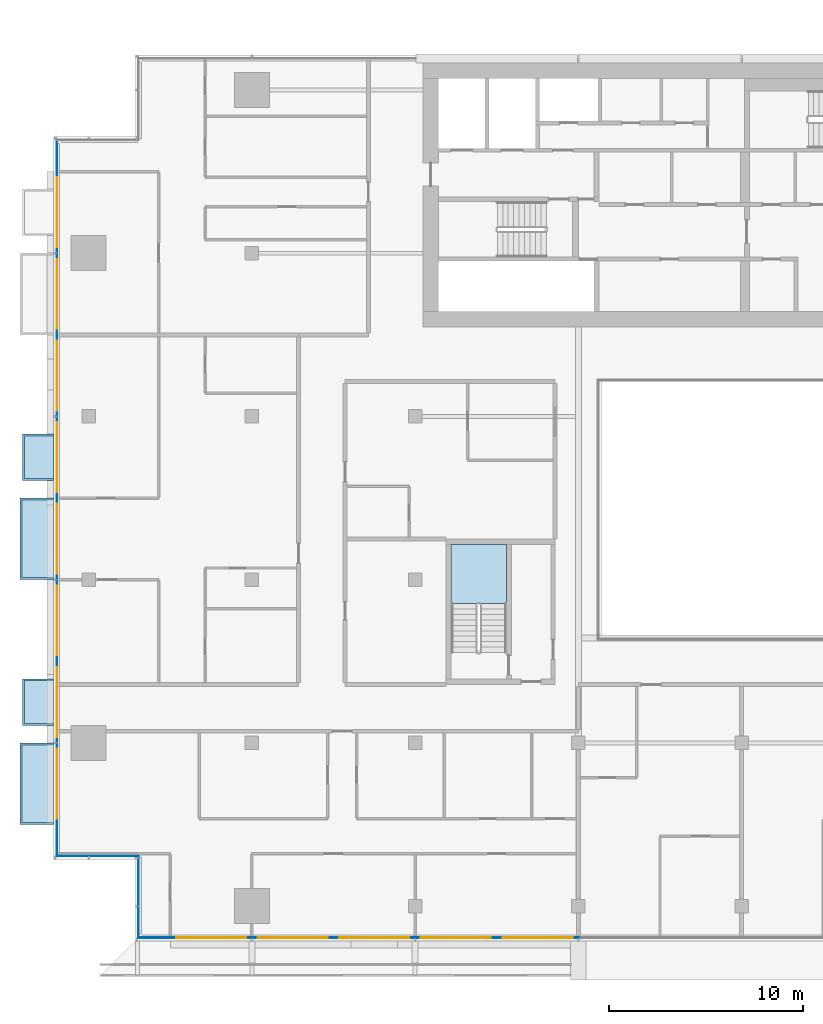
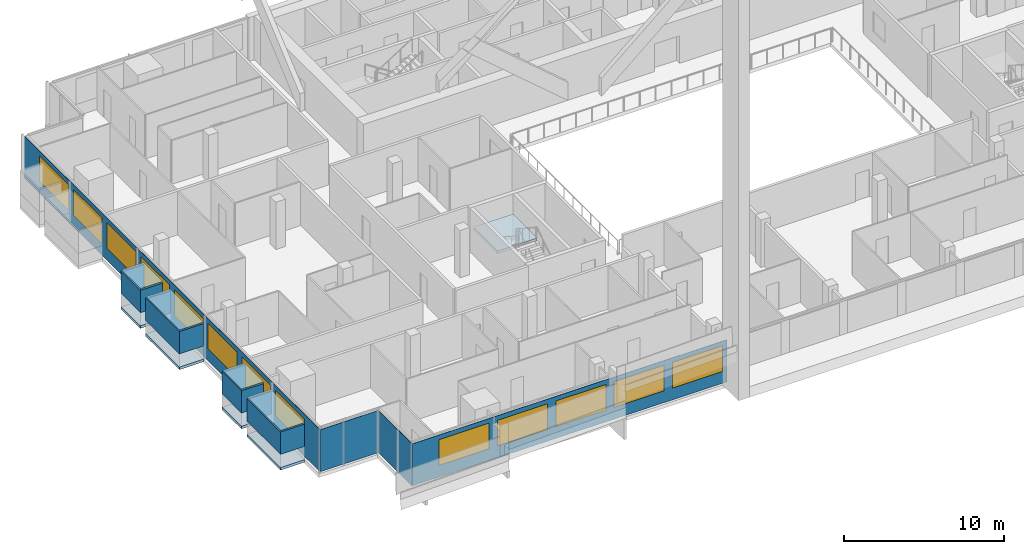
# One storey, part 14 of 31: 13 windows, 12 plates, 5 slabs, 13 openings, 5 elements without a shape of their own.
"""IFC4 building model written with IfcOpenShell, lengths in metres."""

import ifcopenshell
import ifcopenshell.guid

model = None  # the IFC model being written
_history = None  # IfcOwnerHistory: only IFC2X3 demands one
_inside = {}  # id of a spatial element -> (the spatial element, [elements in it])
_under = {}  # id of a project, library or spatial element -> (it, [spatial elements below it])
_declared = {}  # id of a project -> (the project, [libraries it declares])
_typed = {}  # id of a type object -> (the type object, [elements of that type])
_made_of = {}  # id of a material, layer set ... -> (it, [elements and type objects made of it])


def new_model(schema):
    """Start an empty IFC model of exactly this schema.

    Asked for "IFC4X3", IfcOpenShell would pick the latest addendum, in which some entities
    have other attributes; the version numbers below select the first issue.
    IFC2X3 requires an IfcOwnerHistory on every rooted entity: one is made here for all.
    """
    global model, _history
    if schema == "IFC4X3":
        model = ifcopenshell.file(schema_version=(4, 3, 0, 0))
    else:
        model = ifcopenshell.file(schema=schema)
    _inside.clear()
    _under.clear()
    _declared.clear()
    _typed.clear()
    _made_of.clear()
    _history = None
    if model.schema == "IFC2X3":
        org = make("IfcOrganization", Name="unknown")
        user = make(
            "IfcPersonAndOrganization",
            ThePerson=make("IfcPerson", FamilyName="unknown"),
            TheOrganization=org,
        )
        app = make(
            "IfcApplication",
            ApplicationDeveloper=org,
            Version="unknown",
            ApplicationFullName="unknown",
            ApplicationIdentifier="unknown",
        )
        _history = make(
            "IfcOwnerHistory",
            OwningUser=user,
            OwningApplication=app,
            ChangeAction="ADDED",
            CreationDate=0,
        )
    return model


def make(cls, **values):
    """One entity of the class cls with the attributes given. An attribute that is None is left unset."""
    return model.create_entity(
        cls, **{name: value for name, value in values.items() if value is not None}
    )


def rooted(cls, **values):
    """An entity with a GlobalId (a new one), such as an element, a storey or a relation."""
    return make(cls, GlobalId=ifcopenshell.guid.new(), OwnerHistory=_history, **values)


def si_unit(unit_type, name, prefix=None):
    """IfcSIUnit, for example si_unit("LENGTHUNIT", "METRE", prefix="MILLI")."""
    return make("IfcSIUnit", UnitType=unit_type, Prefix=prefix, Name=name)


def assignment(units):
    """IfcUnitAssignment: the units of a project."""
    return None if units is None else make("IfcUnitAssignment", Units=units)


def point(xyz):
    """IfcCartesianPoint."""
    return None if xyz is None else make("IfcCartesianPoint", Coordinates=xyz)


def direction(xyz):
    """IfcDirection."""
    return None if xyz is None else make("IfcDirection", DirectionRatios=xyz)


def frame(location, z_axis=None, x_axis=None):
    """IfcAxis2Placement3D, a coordinate frame: its origin and axes. An axis left out is left unset."""
    return make(
        "IfcAxis2Placement3D",
        Location=point(location),
        Axis=direction(z_axis),
        RefDirection=direction(x_axis),
    )


def frame_2d(location, x_axis=None):
    """IfcAxis2Placement2D, a coordinate frame in the plane: its origin and x axis."""
    return make(
        "IfcAxis2Placement2D", Location=point(location), RefDirection=direction(x_axis)
    )


def origin():
    """The frame at (0, 0, 0) with its axes left unset."""
    return frame((0.0, 0.0, 0.0))


def place(relative_to, where):
    """IfcLocalPlacement: puts the frame where relative to a parent placement (None: the world)."""
    return make(
        "IfcLocalPlacement", PlacementRelTo=relative_to, RelativePlacement=where
    )


def context(
    kind, dimensions, precision=None, world=None, true_north=None, identifier=None
):
    """IfcGeometricRepresentationContext, for example the 3D "Model" context."""
    return make(
        "IfcGeometricRepresentationContext",
        ContextIdentifier=identifier,
        ContextType=kind,
        CoordinateSpaceDimension=dimensions,
        Precision=precision,
        WorldCoordinateSystem=world,
        TrueNorth=true_north,
    )


def subcontext(parent, identifier, kind, view, scale=None):
    """IfcGeometricRepresentationSubContext, for example "Body" below "Model"."""
    return make(
        "IfcGeometricRepresentationSubContext",
        ContextIdentifier=identifier,
        ContextType=kind,
        ParentContext=parent,
        TargetScale=scale,
        TargetView=view,
    )


def project(units=None, contexts=None):
    """IfcProject with its units and contexts."""
    return rooted(
        "IfcProject",
        Name="project",
        RepresentationContexts=contexts,
        UnitsInContext=assignment(units),
    )


def spatial(cls, under=None, at=None, **own):
    """A site, building, storey or space (cls), placed at a placement, below another one or the project."""
    s = rooted(cls, ObjectPlacement=at, **own)
    if under is not None:
        _under.setdefault(under.id(), (under, []))[1].append(s)
    return s


def polyline(points):
    """IfcPolyline through the points."""
    return make("IfcPolyline", Points=[point(p) for p in points])


def profile(cls, at=None, kind="AREA", **sizes):
    """A parametric profile (cls). Its sizes go by their IFC names, for example OverallWidth=200.0."""
    return make(cls, ProfileType=kind, Position=at, **sizes)


def rectangle(**sizes):
    """IfcRectangleProfileDef."""
    return profile("IfcRectangleProfileDef", **sizes)


def outline(outer, holes=None, kind="AREA"):
    """IfcArbitraryClosedProfileDef: a profile drawn as a closed curve; with holes, ...WithVoids."""
    if holes is None:
        return make("IfcArbitraryClosedProfileDef", ProfileType=kind, OuterCurve=outer)
    return make(
        "IfcArbitraryProfileDefWithVoids",
        ProfileType=kind,
        OuterCurve=outer,
        InnerCurves=holes,
    )


def extrude(swept, where, along, depth):
    """IfcExtrudedAreaSolid: the profile swept, set in the frame where, extruded along a direction by depth."""
    return make(
        "IfcExtrudedAreaSolid",
        SweptArea=swept,
        Position=where,
        ExtrudedDirection=direction(along),
        Depth=depth,
    )


def shape(context_of_items, identifier, shape_type, items):
    """IfcShapeRepresentation: the items that make up one representation, for example the "Body"."""
    return make(
        "IfcShapeRepresentation",
        ContextOfItems=context_of_items,
        RepresentationIdentifier=identifier,
        RepresentationType=shape_type,
        Items=items,
    )


def material(Name=None, Category=None):
    """IfcMaterial."""
    return make("IfcMaterial", Name=Name, Category=Category)


def layer(
    of_material, thickness, ventilated=None, Name=None, Category=None, Priority=None
):
    """IfcMaterialLayer: one layer of a wall or slab, of a material (None: an air gap)."""
    return make(
        "IfcMaterialLayer",
        Material=of_material,
        LayerThickness=thickness,
        IsVentilated=ventilated,
        Name=Name,
        Category=Category,
        Priority=Priority,
    )


def layer_set(layers, Name=None):
    """IfcMaterialLayerSet."""
    return make("IfcMaterialLayerSet", MaterialLayers=layers, LayerSetName=Name)


def made_of(thing, what):
    """Note that an element or type object is made of a material, layer set ...; save() writes the relation."""
    if what is not None:
        _made_of.setdefault(what.id(), (what, []))[1].append(thing)
    return thing


def type_object(cls, material=None, **own):
    """A type object (cls), such as IfcWallType, which elements share."""
    return made_of(rooted(cls, **own), material)


def element(
    cls,
    number,
    at=None,
    inside=None,
    cuts=None,
    type_object=None,
    material=None,
    context=None,
    identifier="Body",
    shape_type=None,
    held_by="IfcProductDefinitionShape",
    body=None,
    shapes=None,
    **own,
):
    """One element of the class cls, such as IfcWall. Its Tag is "e" and its number.

    at: its placement. inside: the storey or other place that contains it. cuts: it is an
    opening in that element (IfcRelVoidsElement). A single representation is given by context,
    identifier, shape_type and body (its items); several are given by shapes. held_by: the class
    of the entity that holds the representations. save() writes the other relations.
    """
    e = rooted(cls, Tag="e%d" % number, ObjectPlacement=at, **own)
    if body is not None:
        shapes = [shape(context, identifier, shape_type, body)]
    if shapes is not None:
        e.Representation = make(held_by, Representations=shapes)
    if inside is not None:
        _inside.setdefault(inside.id(), (inside, []))[1].append(e)
    if cuts is not None:
        rooted(
            "IfcRelVoidsElement", RelatingBuildingElement=cuts, RelatedOpeningElement=e
        )
    if type_object is not None:
        _typed.setdefault(type_object.id(), (type_object, []))[1].append(e)
    return made_of(e, material)


def fill(opening, filler):
    """IfcRelFillsElement: the door or window that sits in an opening."""
    return rooted(
        "IfcRelFillsElement",
        RelatingOpeningElement=opening,
        RelatedBuildingElement=filler,
    )


def aggregate(whole, parts):
    """IfcRelAggregates: a whole, such as a stair, and the parts it consists of."""
    return rooted("IfcRelAggregates", RelatingObject=whole, RelatedObjects=parts)


def save(model, path):
    """Write the relations noted so far, then the file.

    IfcRelAggregates (storeys below a building ...), IfcRelContainedInSpatialStructure (elements
    in a storey), IfcRelDefinesByType, IfcRelAssociatesMaterial and IfcRelDeclares: one each for
    every whole, place, type object, material and project.
    """
    for whole, parts in _under.values():
        aggregate(whole, parts)
    for where, things in _inside.values():
        rooted(
            "IfcRelContainedInSpatialStructure",
            RelatedElements=things,
            RelatingStructure=where,
        )
    for kind, things in _typed.values():
        rooted("IfcRelDefinesByType", RelatedObjects=things, RelatingType=kind)
    for what, things in _made_of.values():
        rooted("IfcRelAssociatesMaterial", RelatedObjects=things, RelatingMaterial=what)
    for by, libraries in _declared.values():
        rooted("IfcRelDeclares", RelatingContext=by, RelatedDefinitions=libraries)
    model.write(path)


model = new_model("IFC4")

# Units and contexts
model_context = context("Model", 3, precision=1e-05, world=origin(), true_north=direction((0.0, 1.0)))
body_context = subcontext(model_context, "Body", "Model", "MODEL_VIEW")
ifc_project = project(units=[si_unit("LENGTHUNIT", "METRE"), si_unit("AREAUNIT", "SQUARE_METRE"), si_unit("VOLUMEUNIT", "CUBIC_METRE"), si_unit("PLANEANGLEUNIT", "RADIAN"), si_unit("MASSUNIT", "GRAM", prefix="KILO")], contexts=[model_context])

# Site, building, storey
site_placement = place(None, origin())
site = spatial("IfcSite", under=ifc_project, at=site_placement, CompositionType="ELEMENT")
building_placement = place(site_placement, origin())
building = spatial("IfcBuilding", under=site, at=building_placement, Name="Saffron Gate Tower", CompositionType="ELEMENT")
storey_placement = place(building_placement, frame((0.0, 0.0, 147.449951171875)))
storey = spatial("IfcBuildingStorey", under=building, at=storey_placement, Name="L35", CompositionType="ELEMENT", Elevation=147.449951171875)

# Curtain wall, plate, openings, windows
ifc_material_1 = material(Name="Aluminium, bronze anodised", Category="aluminium")
curtain_wall_type_1 = type_object("IfcCurtainWallType", Name="CWS1 curtain wall front facade", PredefinedType="NOTDEFINED", material=ifc_material_1)
curtain_wall_1_placement = place(storey_placement, origin())
curtain_wall_1 = element("IfcCurtainWall", 1, at=curtain_wall_1_placement, inside=storey, type_object=curtain_wall_type_1, Name="CWS1 run 1", PredefinedType="NOTDEFINED")
ifc_material_2 = material(Name="Fritted bronze-tinted laminated glass", Category="glass")
ifc_layer_1 = layer(ifc_material_2, 0.028076171875)
ifc_layer_set_1 = layer_set([ifc_layer_1], Name="CWS1 fixed glass")
plate_type_1 = type_object("IfcPlateType", Name="CWS1 fixed glass", PredefinedType="CURTAIN_PANEL", material=ifc_layer_set_1)
plate_1_placement = place(storey_placement, frame((52.387939453125, 30.174072265625, 0.0), z_axis=(0.0, 0.0, 1.0), x_axis=(1.0, 0.0, 0.0)))
plate_1 = element("IfcPlate", 2, at=plate_1_placement, type_object=plate_type_1, Name="CWS1 glass panel", PredefinedType="CURTAIN_PANEL", context=body_context, shape_type="SweptSolid", body=[
    extrude(rectangle(XDim=22.64208984375, YDim=0.028076171875, at=frame_2d((11.321044921875, 0.0))), origin(), (0.0, 0.0, 1.0), 3.199951171875),
])
opening_1_placement = place(plate_1_placement, frame((1.912109375, 0.0, 0.89990234375)))
opening_1 = element("IfcOpeningElement", 3, at=opening_1_placement, cuts=plate_1, Name="Opening W1", PredefinedType="OPENING", context=body_context, shape_type="SweptSolid", body=[
    extrude(rectangle(XDim=3.60009765625, YDim=1.949951171875, at=frame_2d((1.800048828125, 0.97509765625))), frame((0.0, 0.02392578125, 0.0), z_axis=(0.0, -1.0, 0.0), x_axis=(1.0, 0.0, 0.0)), (0.0, 0.0, 1.0), 0.048095703125),
])
opening_2_placement = place(plate_1_placement, frame((6.112060546875, 0.0, 0.89990234375)))
opening_2 = element("IfcOpeningElement", 4, at=opening_2_placement, cuts=plate_1, Name="Opening W1", PredefinedType="OPENING", context=body_context, shape_type="SweptSolid", body=[
    extrude(rectangle(XDim=3.60009765625, YDim=1.949951171875, at=frame_2d((1.800048828125, 0.97509765625))), frame((0.0, 0.02392578125, 0.0), z_axis=(0.0, -1.0, 0.0), x_axis=(1.0, 0.0, 0.0)), (0.0, 0.0, 1.0), 0.048095703125),
])
opening_3_placement = place(plate_1_placement, frame((10.31201171875, 0.0, 0.89990234375)))
opening_3 = element("IfcOpeningElement", 5, at=opening_3_placement, cuts=plate_1, Name="Opening W1", PredefinedType="OPENING", context=body_context, shape_type="SweptSolid", body=[
    extrude(rectangle(XDim=3.60009765625, YDim=1.949951171875, at=frame_2d((1.800048828125, 0.97509765625))), frame((0.0, 0.02392578125, 0.0), z_axis=(0.0, -1.0, 0.0), x_axis=(1.0, 0.0, 0.0)), (0.0, 0.0, 1.0), 0.048095703125),
])
opening_4_placement = place(plate_1_placement, frame((14.511962890625, 0.0, 0.89990234375)))
opening_4 = element("IfcOpeningElement", 6, at=opening_4_placement, cuts=plate_1, Name="Opening W1", PredefinedType="OPENING", context=body_context, shape_type="SweptSolid", body=[
    extrude(rectangle(XDim=3.60009765625, YDim=1.949951171875, at=frame_2d((1.800048828125, 0.97509765625))), frame((0.0, 0.02392578125, 0.0), z_axis=(0.0, -1.0, 0.0), x_axis=(1.0, 0.0, 0.0)), (0.0, 0.0, 1.0), 0.048095703125),
])
opening_5_placement = place(plate_1_placement, frame((18.7119140625, 0.0, 0.89990234375)))
opening_5 = element("IfcOpeningElement", 7, at=opening_5_placement, cuts=plate_1, Name="Opening W1", PredefinedType="OPENING", context=body_context, shape_type="SweptSolid", body=[
    extrude(rectangle(XDim=3.60009765625, YDim=1.949951171875, at=frame_2d((1.800048828125, 0.97509765625))), frame((0.0, 0.02392578125, 0.0), z_axis=(0.0, -1.0, 0.0), x_axis=(1.0, 0.0, 0.0)), (0.0, 0.0, 1.0), 0.048095703125),
])
ifc_material_3 = material(Name="Fritted bronze-tinted laminated glass in bronze frame", Category="glass")
ifc_layer_2 = layer(ifc_material_3, 0.06005859375)
ifc_layer_set_2 = layer_set([ifc_layer_2], Name="W1 operable panel 3600x1950")
window_type = type_object("IfcWindowType", Name="W1 operable panel 3600x1950", PartitioningType="DOUBLE_PANEL_HORIZONTAL", PredefinedType="WINDOW", material=ifc_layer_set_2)
window_1_placement = place(opening_1_placement, origin())
window_1 = element("IfcWindow", 8, at=window_1_placement, type_object=window_type, Name="W1 operable panel", OverallHeight=1.949951171875, OverallWidth=3.60009765625, PartitioningType="SINGLE_PANEL", PredefinedType="WINDOW", context=body_context, shape_type="SweptSolid", body=[
    extrude(rectangle(XDim=3.60009765625, YDim=1.949951171875, at=frame_2d((1.800048828125, 0.97509765625))), frame((0.0, 0.013671875, 0.0), z_axis=(0.0, -1.0, 0.0), x_axis=(1.0, 0.0, 0.0)), (0.0, 0.0, 1.0), 0.027587890625),
])
fill(opening_1, window_1)
window_2_placement = place(opening_2_placement, origin())
window_2 = element("IfcWindow", 9, at=window_2_placement, type_object=window_type, Name="W1 operable panel", OverallHeight=1.949951171875, OverallWidth=3.60009765625, PartitioningType="SINGLE_PANEL", PredefinedType="WINDOW", context=body_context, shape_type="SweptSolid", body=[
    extrude(rectangle(XDim=3.60009765625, YDim=1.949951171875, at=frame_2d((1.800048828125, 0.97509765625))), frame((0.0, 0.013671875, 0.0), z_axis=(0.0, -1.0, 0.0), x_axis=(1.0, 0.0, 0.0)), (0.0, 0.0, 1.0), 0.027587890625),
])
fill(opening_2, window_2)
window_3_placement = place(opening_3_placement, origin())
window_3 = element("IfcWindow", 10, at=window_3_placement, type_object=window_type, Name="W1 operable panel", OverallHeight=1.949951171875, OverallWidth=3.60009765625, PartitioningType="SINGLE_PANEL", PredefinedType="WINDOW", context=body_context, shape_type="SweptSolid", body=[
    extrude(rectangle(XDim=3.60009765625, YDim=1.949951171875, at=frame_2d((1.800048828125, 0.97509765625))), frame((0.0, 0.013671875, 0.0), z_axis=(0.0, -1.0, 0.0), x_axis=(1.0, 0.0, 0.0)), (0.0, 0.0, 1.0), 0.027587890625),
])
fill(opening_3, window_3)
window_4_placement = place(opening_4_placement, origin())
window_4 = element("IfcWindow", 11, at=window_4_placement, type_object=window_type, Name="W1 operable panel", OverallHeight=1.949951171875, OverallWidth=3.60009765625, PartitioningType="SINGLE_PANEL", PredefinedType="WINDOW", context=body_context, shape_type="SweptSolid", body=[
    extrude(rectangle(XDim=3.60009765625, YDim=1.949951171875, at=frame_2d((1.800048828125, 0.97509765625))), frame((0.0, 0.013671875, 0.0), z_axis=(0.0, -1.0, 0.0), x_axis=(1.0, 0.0, 0.0)), (0.0, 0.0, 1.0), 0.027587890625),
])
fill(opening_4, window_4)
window_5_placement = place(opening_5_placement, origin())
window_5 = element("IfcWindow", 12, at=window_5_placement, type_object=window_type, Name="W1 operable panel", OverallHeight=1.949951171875, OverallWidth=3.60009765625, PartitioningType="SINGLE_PANEL", PredefinedType="WINDOW", context=body_context, shape_type="SweptSolid", body=[
    extrude(rectangle(XDim=3.60009765625, YDim=1.949951171875, at=frame_2d((1.800048828125, 0.97509765625))), frame((0.0, 0.013671875, 0.0), z_axis=(0.0, -1.0, 0.0), x_axis=(1.0, 0.0, 0.0)), (0.0, 0.0, 1.0), 0.027587890625),
])
fill(opening_5, window_5)
aggregate(curtain_wall_1, [plate_1, window_1, window_2, window_3, window_4, window_5])

curtain_wall_type_2 = type_object("IfcCurtainWallType", Name="CWS2 curtain wall side facades", PredefinedType="NOTDEFINED", material=ifc_material_1)
curtain_wall_2_placement = place(storey_placement, origin())
curtain_wall_2 = element("IfcCurtainWall", 13, at=curtain_wall_2_placement, inside=storey, type_object=curtain_wall_type_2, Name="CWS2 run 10", PredefinedType="NOTDEFINED")
ifc_layer_3 = layer(ifc_material_2, 0.028076171875)
ifc_layer_set_3 = layer_set([ifc_layer_3], Name="CWS2 fixed glass")
plate_type_2 = type_object("IfcPlateType", Name="CWS2 fixed glass", PredefinedType="CURTAIN_PANEL", material=ifc_layer_set_3)
plate_2_placement = place(storey_placement, frame((48.174072265625, 71.2119140625, 0.0), z_axis=(0.0, 0.0, 1.0), x_axis=(0.0, -1.0, 0.0)))
plate_2 = element("IfcPlate", 14, at=plate_2_placement, type_object=plate_type_2, Name="CWS2 glass panel", PredefinedType="CURTAIN_PANEL", context=body_context, shape_type="SweptSolid", body=[
    extrude(rectangle(XDim=36.823974609375, YDim=0.028076171875, at=frame_2d((18.412109375, 0.0))), origin(), (0.0, 0.0, 1.0), 3.199951171875),
])
opening_6_placement = place(plate_2_placement, frame((1.912109375, 0.0, 0.89990234375)))
opening_6 = element("IfcOpeningElement", 15, at=opening_6_placement, cuts=plate_2, Name="Opening W1", PredefinedType="OPENING", context=body_context, shape_type="SweptSolid", body=[
    extrude(rectangle(XDim=3.60009765625, YDim=1.949951171875, at=frame_2d((1.800048828125, 0.97509765625))), frame((0.0, 0.02392578125, 0.0), z_axis=(0.0, -1.0, 0.0), x_axis=(1.0, 0.0, 0.0)), (0.0, 0.0, 1.0), 0.048095703125),
])
opening_7_placement = place(plate_2_placement, frame((6.112060546875, 0.0, 0.89990234375)))
opening_7 = element("IfcOpeningElement", 16, at=opening_7_placement, cuts=plate_2, Name="Opening W1", PredefinedType="OPENING", context=body_context, shape_type="SweptSolid", body=[
    extrude(rectangle(XDim=3.60009765625, YDim=1.949951171875, at=frame_2d((1.800048828125, 0.97509765625))), frame((0.0, 0.02392578125, 0.0), z_axis=(0.0, -1.0, 0.0), x_axis=(1.0, 0.0, 0.0)), (0.0, 0.0, 1.0), 0.048095703125),
])
opening_8_placement = place(plate_2_placement, frame((10.31201171875, 0.0, 0.89990234375)))
opening_8 = element("IfcOpeningElement", 17, at=opening_8_placement, cuts=plate_2, Name="Opening W1", PredefinedType="OPENING", context=body_context, shape_type="SweptSolid", body=[
    extrude(rectangle(XDim=3.60009765625, YDim=1.949951171875, at=frame_2d((1.800048828125, 0.97509765625))), frame((0.0, 0.02392578125, 0.0), z_axis=(0.0, -1.0, 0.0), x_axis=(1.0, 0.0, 0.0)), (0.0, 0.0, 1.0), 0.048095703125),
])
opening_9_placement = place(plate_2_placement, frame((14.511962890625, 0.0, 0.89990234375)))
opening_9 = element("IfcOpeningElement", 18, at=opening_9_placement, cuts=plate_2, Name="Opening W1", PredefinedType="OPENING", context=body_context, shape_type="SweptSolid", body=[
    extrude(rectangle(XDim=3.60009765625, YDim=1.949951171875, at=frame_2d((1.800048828125, 0.97509765625))), frame((0.0, 0.02392578125, 0.0), z_axis=(0.0, -1.0, 0.0), x_axis=(1.0, 0.0, 0.0)), (0.0, 0.0, 1.0), 0.048095703125),
])
opening_10_placement = place(plate_2_placement, frame((18.7119140625, 0.0, 0.89990234375)))
opening_10 = element("IfcOpeningElement", 19, at=opening_10_placement, cuts=plate_2, Name="Opening W1", PredefinedType="OPENING", context=body_context, shape_type="SweptSolid", body=[
    extrude(rectangle(XDim=3.60009765625, YDim=1.949951171875, at=frame_2d((1.800048828125, 0.97509765625))), frame((0.0, 0.02392578125, 0.0), z_axis=(0.0, -1.0, 0.0), x_axis=(1.0, 0.0, 0.0)), (0.0, 0.0, 1.0), 0.048095703125),
])
opening_11_placement = place(plate_2_placement, frame((22.912109375, 0.0, 0.89990234375)))
opening_11 = element("IfcOpeningElement", 20, at=opening_11_placement, cuts=plate_2, Name="Opening W1", PredefinedType="OPENING", context=body_context, shape_type="SweptSolid", body=[
    extrude(rectangle(XDim=3.60009765625, YDim=1.949951171875, at=frame_2d((1.800048828125, 0.97509765625))), frame((0.0, 0.02392578125, 0.0), z_axis=(0.0, -1.0, 0.0), x_axis=(1.0, 0.0, 0.0)), (0.0, 0.0, 1.0), 0.048095703125),
])
opening_12_placement = place(plate_2_placement, frame((27.112060546875, 0.0, 0.89990234375)))
opening_12 = element("IfcOpeningElement", 21, at=opening_12_placement, cuts=plate_2, Name="Opening W1", PredefinedType="OPENING", context=body_context, shape_type="SweptSolid", body=[
    extrude(rectangle(XDim=3.60009765625, YDim=1.949951171875, at=frame_2d((1.800048828125, 0.97509765625))), frame((0.0, 0.02392578125, 0.0), z_axis=(0.0, -1.0, 0.0), x_axis=(1.0, 0.0, 0.0)), (0.0, 0.0, 1.0), 0.048095703125),
])
opening_13_placement = place(plate_2_placement, frame((31.31201171875, 0.0, 0.89990234375)))
opening_13 = element("IfcOpeningElement", 22, at=opening_13_placement, cuts=plate_2, Name="Opening W1", PredefinedType="OPENING", context=body_context, shape_type="SweptSolid", body=[
    extrude(rectangle(XDim=3.60009765625, YDim=1.949951171875, at=frame_2d((1.800048828125, 0.97509765625))), frame((0.0, 0.02392578125, 0.0), z_axis=(0.0, -1.0, 0.0), x_axis=(1.0, 0.0, 0.0)), (0.0, 0.0, 1.0), 0.048095703125),
])
window_6_placement = place(opening_6_placement, origin())
window_6 = element("IfcWindow", 23, at=window_6_placement, type_object=window_type, Name="W1 operable panel", OverallHeight=1.949951171875, OverallWidth=3.60009765625, PartitioningType="SINGLE_PANEL", PredefinedType="WINDOW", context=body_context, shape_type="SweptSolid", body=[
    extrude(rectangle(XDim=3.60009765625, YDim=1.949951171875, at=frame_2d((1.800048828125, 0.97509765625))), frame((0.0, 0.013671875, 0.0), z_axis=(0.0, -1.0, 0.0), x_axis=(1.0, 0.0, 0.0)), (0.0, 0.0, 1.0), 0.027587890625),
])
fill(opening_6, window_6)
window_7_placement = place(opening_7_placement, origin())
window_7 = element("IfcWindow", 24, at=window_7_placement, type_object=window_type, Name="W1 operable panel", OverallHeight=1.949951171875, OverallWidth=3.60009765625, PartitioningType="SINGLE_PANEL", PredefinedType="WINDOW", context=body_context, shape_type="SweptSolid", body=[
    extrude(rectangle(XDim=3.60009765625, YDim=1.949951171875, at=frame_2d((1.800048828125, 0.97509765625))), frame((0.0, 0.013671875, 0.0), z_axis=(0.0, -1.0, 0.0), x_axis=(1.0, 0.0, 0.0)), (0.0, 0.0, 1.0), 0.027587890625),
])
fill(opening_7, window_7)
window_8_placement = place(opening_8_placement, origin())
window_8 = element("IfcWindow", 25, at=window_8_placement, type_object=window_type, Name="W1 operable panel", OverallHeight=1.949951171875, OverallWidth=3.60009765625, PartitioningType="SINGLE_PANEL", PredefinedType="WINDOW", context=body_context, shape_type="SweptSolid", body=[
    extrude(rectangle(XDim=3.60009765625, YDim=1.949951171875, at=frame_2d((1.800048828125, 0.97509765625))), frame((0.0, 0.013671875, 0.0), z_axis=(0.0, -1.0, 0.0), x_axis=(1.0, 0.0, 0.0)), (0.0, 0.0, 1.0), 0.027587890625),
])
fill(opening_8, window_8)
window_9_placement = place(opening_9_placement, origin())
window_9 = element("IfcWindow", 26, at=window_9_placement, type_object=window_type, Name="W1 operable panel", OverallHeight=1.949951171875, OverallWidth=3.60009765625, PartitioningType="SINGLE_PANEL", PredefinedType="WINDOW", context=body_context, shape_type="SweptSolid", body=[
    extrude(rectangle(XDim=3.60009765625, YDim=1.949951171875, at=frame_2d((1.800048828125, 0.97509765625))), frame((0.0, 0.013671875, 0.0), z_axis=(0.0, -1.0, 0.0), x_axis=(1.0, 0.0, 0.0)), (0.0, 0.0, 1.0), 0.027587890625),
])
fill(opening_9, window_9)
window_10_placement = place(opening_10_placement, origin())
window_10 = element("IfcWindow", 27, at=window_10_placement, type_object=window_type, Name="W1 operable panel", OverallHeight=1.949951171875, OverallWidth=3.60009765625, PartitioningType="SINGLE_PANEL", PredefinedType="WINDOW", context=body_context, shape_type="SweptSolid", body=[
    extrude(rectangle(XDim=3.60009765625, YDim=1.949951171875, at=frame_2d((1.800048828125, 0.97509765625))), frame((0.0, 0.013671875, 0.0), z_axis=(0.0, -1.0, 0.0), x_axis=(1.0, 0.0, 0.0)), (0.0, 0.0, 1.0), 0.027587890625),
])
fill(opening_10, window_10)
window_11_placement = place(opening_11_placement, origin())
window_11 = element("IfcWindow", 28, at=window_11_placement, type_object=window_type, Name="W1 operable panel", OverallHeight=1.949951171875, OverallWidth=3.60009765625, PartitioningType="SINGLE_PANEL", PredefinedType="WINDOW", context=body_context, shape_type="SweptSolid", body=[
    extrude(rectangle(XDim=3.60009765625, YDim=1.949951171875, at=frame_2d((1.800048828125, 0.97509765625))), frame((0.0, 0.013671875, 0.0), z_axis=(0.0, -1.0, 0.0), x_axis=(1.0, 0.0, 0.0)), (0.0, 0.0, 1.0), 0.027587890625),
])
fill(opening_11, window_11)
window_12_placement = place(opening_12_placement, origin())
window_12 = element("IfcWindow", 29, at=window_12_placement, type_object=window_type, Name="W1 operable panel", OverallHeight=1.949951171875, OverallWidth=3.60009765625, PartitioningType="SINGLE_PANEL", PredefinedType="WINDOW", context=body_context, shape_type="SweptSolid", body=[
    extrude(rectangle(XDim=3.60009765625, YDim=1.949951171875, at=frame_2d((1.800048828125, 0.97509765625))), frame((0.0, 0.013671875, 0.0), z_axis=(0.0, -1.0, 0.0), x_axis=(1.0, 0.0, 0.0)), (0.0, 0.0, 1.0), 0.027587890625),
])
fill(opening_12, window_12)
window_13_placement = place(opening_13_placement, origin())
window_13 = element("IfcWindow", 30, at=window_13_placement, type_object=window_type, Name="W1 operable panel", OverallHeight=1.949951171875, OverallWidth=3.60009765625, PartitioningType="SINGLE_PANEL", PredefinedType="WINDOW", context=body_context, shape_type="SweptSolid", body=[
    extrude(rectangle(XDim=3.60009765625, YDim=1.949951171875, at=frame_2d((1.800048828125, 0.97509765625))), frame((0.0, 0.013671875, 0.0), z_axis=(0.0, -1.0, 0.0), x_axis=(1.0, 0.0, 0.0)), (0.0, 0.0, 1.0), 0.027587890625),
])
fill(opening_13, window_13)
aggregate(curtain_wall_2, [plate_2, window_6, window_7, window_8, window_9, window_10, window_11, window_12, window_13])

# Curtain wall, plate
curtain_wall_type_3 = type_object("IfcCurtainWallType", Name="CWS4 curtain wall corner returns", PredefinedType="NOTDEFINED", material=ifc_material_1)
curtain_wall_3_placement = place(storey_placement, origin())
curtain_wall_3 = element("IfcCurtainWall", 31, at=curtain_wall_3_placement, inside=storey, type_object=curtain_wall_type_3, Name="CWS4 run 11", PredefinedType="NOTDEFINED")
ifc_layer_4 = layer(ifc_material_2, 0.028076171875)
ifc_layer_set_4 = layer_set([ifc_layer_4], Name="CWS4 fixed glass")
plate_type_3 = type_object("IfcPlateType", Name="CWS4 fixed glass", PredefinedType="CURTAIN_PANEL", material=ifc_layer_set_4)
plate_3_placement = place(storey_placement, frame((48.18798828125, 34.3740234375, 0.0), z_axis=(0.0, 0.0, 1.0), x_axis=(1.0, 0.0, 0.0)))
plate_3 = element("IfcPlate", 32, at=plate_3_placement, type_object=plate_type_3, Name="CWS4 glass panel", PredefinedType="CURTAIN_PANEL", context=body_context, shape_type="SweptSolid", body=[
    extrude(rectangle(XDim=4.172119140625, YDim=0.028076171875, at=frame_2d((2.0859375, 0.0))), origin(), (0.0, 0.0, 1.0), 3.199951171875),
])
aggregate(curtain_wall_3, [plate_3])

curtain_wall_4_placement = place(storey_placement, origin())
curtain_wall_4 = element("IfcCurtainWall", 33, at=curtain_wall_4_placement, inside=storey, type_object=curtain_wall_type_3, Name="CWS4 run 12", PredefinedType="NOTDEFINED")
plate_4_placement = place(storey_placement, frame((52.3740234375, 34.360107421875, 0.0), z_axis=(0.0, 0.0, 1.0), x_axis=(0.0, -1.0, 0.0)))
plate_4 = element("IfcPlate", 34, at=plate_4_placement, type_object=plate_type_3, Name="CWS4 glass panel", PredefinedType="CURTAIN_PANEL", context=body_context, shape_type="SweptSolid", body=[
    extrude(rectangle(XDim=4.172119140625, YDim=0.028076171875, at=frame_2d((2.0859375, 0.0))), origin(), (0.0, 0.0, 1.0), 3.199951171875),
])
aggregate(curtain_wall_4, [plate_4])

# Stair, slab
ifc_material_4 = material(Name="Concrete C40", Category="concrete")
stair_type = type_object("IfcStairType", Name="ST7 Stair 1350 wide, 20 risers of 180", PredefinedType="HALF_TURN_STAIR", material=ifc_material_4)
stair_placement = place(storey_placement, origin())
stair = element("IfcStair", 35, at=stair_placement, inside=storey, type_object=stair_type, Name="L35 Exit stair D", PredefinedType="HALF_TURN_STAIR")
ifc_layer_5 = layer(ifc_material_4, 0.199951171875)
ifc_layer_set_5 = layer_set([ifc_layer_5], Name="SL1 Stair landing 200")
slab_type_1 = type_object("IfcSlabType", Name="SL1 Stair landing 200", PredefinedType="LANDING", material=ifc_layer_set_5)
slab_1_placement = place(storey_placement, frame((0.0, 0.0, 1.60009765625)))
slab_1 = element("IfcSlab", 36, at=slab_1_placement, type_object=slab_type_1, Name="ST-D landing 1", PredefinedType="LANDING", context=body_context, shape_type="SweptSolid", body=[
    extrude(outline(polyline([(71.300048828125, 47.3701171875), (71.300048828125, 50.39990234375), (68.449951171875, 50.39990234375), (68.449951171875, 47.3701171875), (71.300048828125, 47.3701171875)])), origin(), (0.0, 0.0, 1.0), 0.199951171875),
])
aggregate(stair, [slab_1])

# Slabs
ifc_material_5 = material(Name="Timber deck on bronze frame", Category="wood")
ifc_layer_6 = layer(ifc_material_5, 0.199951171875)
ifc_layer_set_6 = layer_set([ifc_layer_6], Name="WB1 box floor")
slab_type_2 = type_object("IfcSlabType", Name="WB1 box floor", PredefinedType="FLOOR", material=ifc_layer_set_6)
slab_2_placement = place(storey_placement, frame((0.0, 0.0, -0.199951171875)))
element("IfcSlab", 37, at=slab_2_placement, inside=storey, type_object=slab_type_2, Name="WINDOW BOX floor", PredefinedType="FLOOR", context=body_context, shape_type="SweptSolid", body=[
    extrude(outline(polyline([(48.0, 56.10009765625), (48.0, 53.699951171875), (46.39990234375, 53.699951171875), (46.39990234375, 56.10009765625), (48.0, 56.10009765625)])), origin(), (0.0, 0.0, 1.0), 0.199951171875),
])
slab_3_placement = place(storey_placement, frame((0.0, 0.0, -0.199951171875)))
element("IfcSlab", 38, at=slab_3_placement, inside=storey, type_object=slab_type_2, Name="WINDOW BOX floor", PredefinedType="FLOOR", context=body_context, shape_type="SweptSolid", body=[
    extrude(outline(polyline([(48.0, 52.800048828125), (48.0, 48.60009765625), (46.26708984375, 48.60009765625), (46.26708984375, 52.800048828125), (48.0, 52.800048828125)])), origin(), (0.0, 0.0, 1.0), 0.199951171875),
])
slab_4_placement = place(storey_placement, frame((0.0, 0.0, -0.199951171875)))
element("IfcSlab", 39, at=slab_4_placement, inside=storey, type_object=slab_type_2, Name="WINDOW BOX floor", PredefinedType="FLOOR", context=body_context, shape_type="SweptSolid", body=[
    extrude(outline(polyline([(48.0, 43.5), (48.0, 41.10009765625), (46.39990234375, 41.10009765625), (46.39990234375, 43.5), (48.0, 43.5)])), origin(), (0.0, 0.0, 1.0), 0.199951171875),
])
slab_5_placement = place(storey_placement, frame((0.0, 0.0, -0.199951171875)))
element("IfcSlab", 40, at=slab_5_placement, inside=storey, type_object=slab_type_2, Name="WINDOW BOX floor", PredefinedType="FLOOR", context=body_context, shape_type="SweptSolid", body=[
    extrude(outline(polyline([(48.0, 40.199951171875), (48.0, 36.0), (46.26708984375, 36.0), (46.26708984375, 40.199951171875), (48.0, 40.199951171875)])), origin(), (0.0, 0.0, 1.0), 0.199951171875),
])

# Plates
ifc_layer_7 = layer(ifc_material_1, 0.1201171875)
ifc_layer_set_7 = layer_set([ifc_layer_7], Name="WB2 box roof")
plate_type_4 = type_object("IfcPlateType", Name="WB2 box roof", PredefinedType="SHEET", material=ifc_layer_set_7)
plate_5_placement = place(storey_placement, frame((0.0, 0.0, 2.699951171875)))
element("IfcPlate", 41, at=plate_5_placement, inside=storey, type_object=plate_type_4, Name="WINDOW BOX roof", PredefinedType="SHEET", context=body_context, shape_type="SweptSolid", body=[
    extrude(outline(polyline([(48.0, 56.10009765625), (48.0, 53.699951171875), (46.39990234375, 53.699951171875), (46.39990234375, 56.10009765625), (48.0, 56.10009765625)])), origin(), (0.0, 0.0, 1.0), 0.1201171875),
])
plate_6_placement = place(storey_placement, frame((0.0, 0.0, 2.699951171875)))
element("IfcPlate", 42, at=plate_6_placement, inside=storey, type_object=plate_type_4, Name="WINDOW BOX roof", PredefinedType="SHEET", context=body_context, shape_type="SweptSolid", body=[
    extrude(outline(polyline([(48.0, 52.800048828125), (48.0, 48.60009765625), (46.26708984375, 48.60009765625), (46.26708984375, 52.800048828125), (48.0, 52.800048828125)])), origin(), (0.0, 0.0, 1.0), 0.1201171875),
])
plate_7_placement = place(storey_placement, frame((0.0, 0.0, 2.699951171875)))
element("IfcPlate", 43, at=plate_7_placement, inside=storey, type_object=plate_type_4, Name="WINDOW BOX roof", PredefinedType="SHEET", context=body_context, shape_type="SweptSolid", body=[
    extrude(outline(polyline([(48.0, 43.5), (48.0, 41.10009765625), (46.39990234375, 41.10009765625), (46.39990234375, 43.5), (48.0, 43.5)])), origin(), (0.0, 0.0, 1.0), 0.1201171875),
])
plate_8_placement = place(storey_placement, frame((0.0, 0.0, 2.699951171875)))
element("IfcPlate", 44, at=plate_8_placement, inside=storey, type_object=plate_type_4, Name="WINDOW BOX roof", PredefinedType="SHEET", context=body_context, shape_type="SweptSolid", body=[
    extrude(outline(polyline([(48.0, 40.199951171875), (48.0, 36.0), (46.26708984375, 36.0), (46.26708984375, 40.199951171875), (48.0, 40.199951171875)])), origin(), (0.0, 0.0, 1.0), 0.1201171875),
])
ifc_material_6 = material(Name="Clear low-iron laminated glass", Category="glass")
ifc_layer_8 = layer(ifc_material_6, 0.10009765625)
ifc_layer_set_8 = layer_set([ifc_layer_8], Name="WB6 box glazing")
plate_type_5 = type_object("IfcPlateType", Name="WB6 box glazing", PredefinedType="SHEET", material=ifc_layer_set_8)
plate_9_placement = place(storey_placement, frame((0.0, 0.0, 1.0)))
element("IfcPlate", 45, at=plate_9_placement, inside=storey, type_object=plate_type_5, Name="WINDOW BOX glazing", PredefinedType="SHEET", context=body_context, shape_type="SweptSolid", body=[
    extrude(outline(polyline([(48.0, 56.10009765625), (48.0, 56.0), (46.5, 56.0), (46.5, 53.800048828125), (48.0, 53.800048828125), (48.0, 53.699951171875), (46.39990234375, 53.699951171875), (46.39990234375, 56.10009765625), (48.0, 56.10009765625)])), origin(), (0.0, 0.0, 1.0), 1.699951171875),
])
plate_10_placement = place(storey_placement, frame((0.0, 0.0, 1.0)))
element("IfcPlate", 46, at=plate_10_placement, inside=storey, type_object=plate_type_5, Name="WINDOW BOX glazing", PredefinedType="SHEET", context=body_context, shape_type="SweptSolid", body=[
    extrude(outline(polyline([(48.0, 52.800048828125), (48.0, 52.699951171875), (46.366943359375, 52.699951171875), (46.366943359375, 48.699951171875), (48.0, 48.699951171875), (48.0, 48.60009765625), (46.26708984375, 48.60009765625), (46.26708984375, 52.800048828125), (48.0, 52.800048828125)])), origin(), (0.0, 0.0, 1.0), 1.699951171875),
])
plate_11_placement = place(storey_placement, frame((0.0, 0.0, 1.0)))
element("IfcPlate", 47, at=plate_11_placement, inside=storey, type_object=plate_type_5, Name="WINDOW BOX glazing", PredefinedType="SHEET", context=body_context, shape_type="SweptSolid", body=[
    extrude(outline(polyline([(48.0, 43.5), (48.0, 43.39990234375), (46.5, 43.39990234375), (46.5, 41.199951171875), (48.0, 41.199951171875), (48.0, 41.10009765625), (46.39990234375, 41.10009765625), (46.39990234375, 43.5), (48.0, 43.5)])), origin(), (0.0, 0.0, 1.0), 1.699951171875),
])
plate_12_placement = place(storey_placement, frame((0.0, 0.0, 1.0)))
element("IfcPlate", 48, at=plate_12_placement, inside=storey, type_object=plate_type_5, Name="WINDOW BOX glazing", PredefinedType="SHEET", context=body_context, shape_type="SweptSolid", body=[
    extrude(outline(polyline([(48.0, 40.199951171875), (48.0, 40.10009765625), (46.366943359375, 40.10009765625), (46.366943359375, 36.10009765625), (48.0, 36.10009765625), (48.0, 36.0), (46.26708984375, 36.0), (46.26708984375, 40.199951171875), (48.0, 40.199951171875)])), origin(), (0.0, 0.0, 1.0), 1.699951171875),
])

save(model, "model.ifc")
